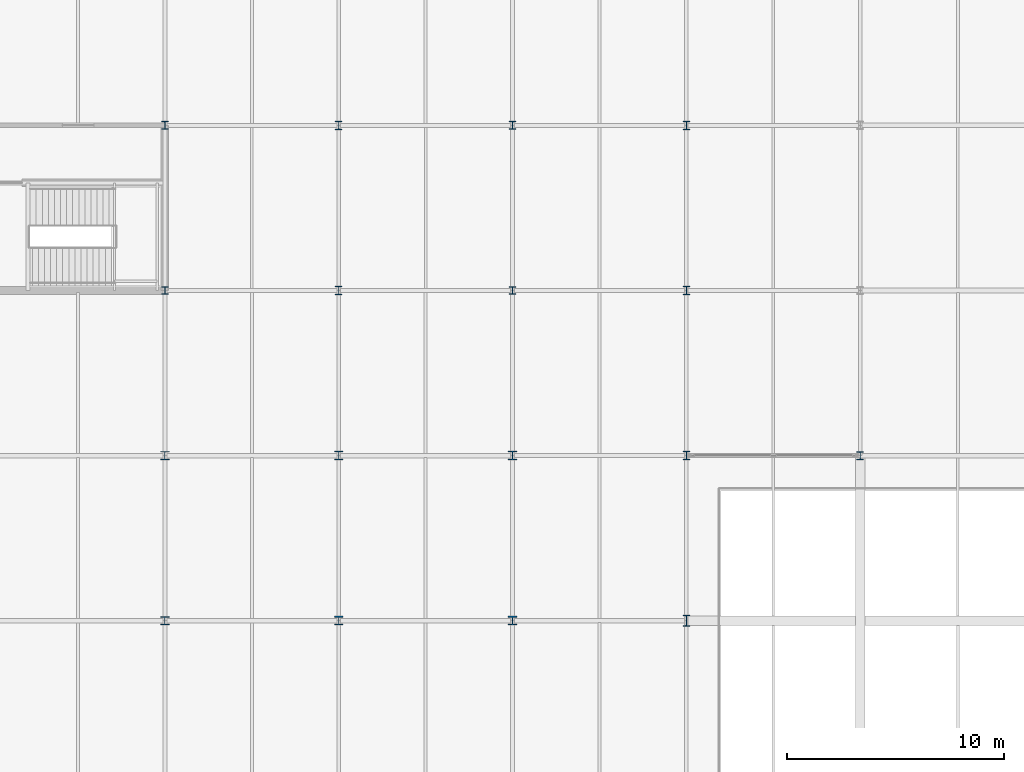
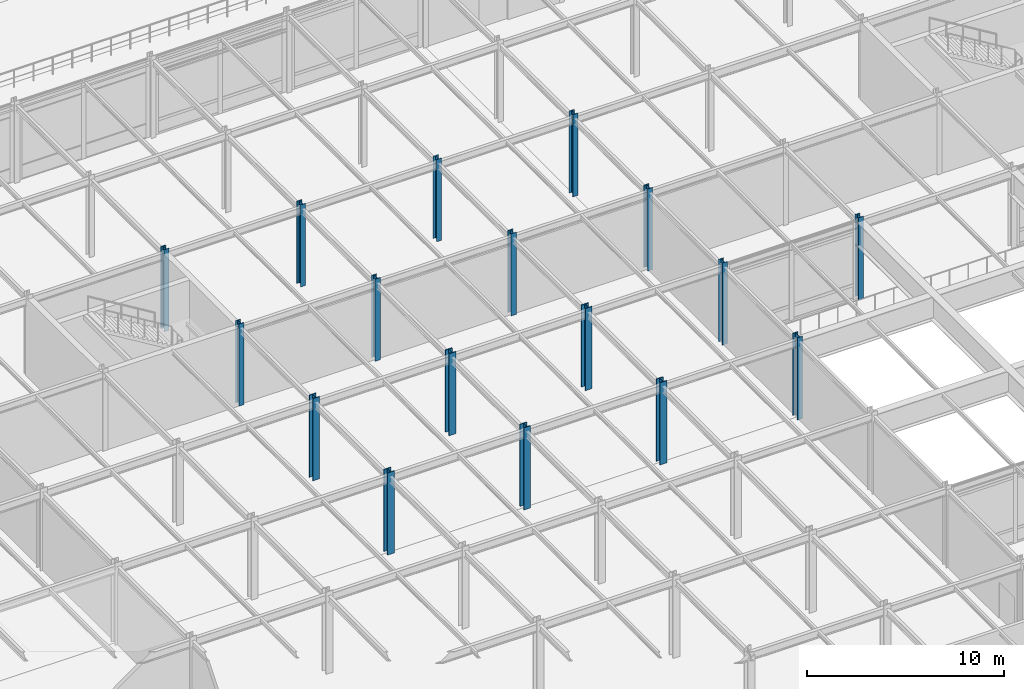
# One storey, part 7 of 79: 17 columns.
"""IFC4 building model written with IfcOpenShell, lengths in metres."""

import ifcopenshell
import ifcopenshell.guid

model = None  # the IFC model being written
_history = None  # IfcOwnerHistory: only IFC2X3 demands one
_inside = {}  # id of a spatial element -> (the spatial element, [elements in it])
_under = {}  # id of a project, library or spatial element -> (it, [spatial elements below it])
_declared = {}  # id of a project -> (the project, [libraries it declares])
_typed = {}  # id of a type object -> (the type object, [elements of that type])
_made_of = {}  # id of a material, layer set ... -> (it, [elements and type objects made of it])


def new_model(schema):
    """Start an empty IFC model of exactly this schema.

    Asked for "IFC4X3", IfcOpenShell would pick the latest addendum, in which some entities
    have other attributes; the version numbers below select the first issue.
    IFC2X3 requires an IfcOwnerHistory on every rooted entity: one is made here for all.
    """
    global model, _history
    if schema == "IFC4X3":
        model = ifcopenshell.file(schema_version=(4, 3, 0, 0))
    else:
        model = ifcopenshell.file(schema=schema)
    _inside.clear()
    _under.clear()
    _declared.clear()
    _typed.clear()
    _made_of.clear()
    _history = None
    if model.schema == "IFC2X3":
        org = make("IfcOrganization", Name="unknown")
        user = make(
            "IfcPersonAndOrganization",
            ThePerson=make("IfcPerson", FamilyName="unknown"),
            TheOrganization=org,
        )
        app = make(
            "IfcApplication",
            ApplicationDeveloper=org,
            Version="unknown",
            ApplicationFullName="unknown",
            ApplicationIdentifier="unknown",
        )
        _history = make(
            "IfcOwnerHistory",
            OwningUser=user,
            OwningApplication=app,
            ChangeAction="ADDED",
            CreationDate=0,
        )
    return model


def make(cls, **values):
    """One entity of the class cls with the attributes given. An attribute that is None is left unset."""
    return model.create_entity(
        cls, **{name: value for name, value in values.items() if value is not None}
    )


def rooted(cls, **values):
    """An entity with a GlobalId (a new one), such as an element, a storey or a relation."""
    return make(cls, GlobalId=ifcopenshell.guid.new(), OwnerHistory=_history, **values)


def si_unit(unit_type, name, prefix=None):
    """IfcSIUnit, for example si_unit("LENGTHUNIT", "METRE", prefix="MILLI")."""
    return make("IfcSIUnit", UnitType=unit_type, Prefix=prefix, Name=name)


def assignment(units):
    """IfcUnitAssignment: the units of a project."""
    return None if units is None else make("IfcUnitAssignment", Units=units)


def point(xyz):
    """IfcCartesianPoint."""
    return None if xyz is None else make("IfcCartesianPoint", Coordinates=xyz)


def direction(xyz):
    """IfcDirection."""
    return None if xyz is None else make("IfcDirection", DirectionRatios=xyz)


def frame(location, z_axis=None, x_axis=None):
    """IfcAxis2Placement3D, a coordinate frame: its origin and axes. An axis left out is left unset."""
    return make(
        "IfcAxis2Placement3D",
        Location=point(location),
        Axis=direction(z_axis),
        RefDirection=direction(x_axis),
    )


def frame_2d(location, x_axis=None):
    """IfcAxis2Placement2D, a coordinate frame in the plane: its origin and x axis."""
    return make(
        "IfcAxis2Placement2D", Location=point(location), RefDirection=direction(x_axis)
    )


def origin():
    """The frame at (0, 0, 0) with its axes left unset."""
    return frame((0.0, 0.0, 0.0))


def origin_2d():
    """The frame at (0, 0) in the plane with its x axis left unset."""
    return frame_2d((0.0, 0.0))


def place(relative_to, where):
    """IfcLocalPlacement: puts the frame where relative to a parent placement (None: the world)."""
    return make(
        "IfcLocalPlacement", PlacementRelTo=relative_to, RelativePlacement=where
    )


def context(
    kind, dimensions, precision=None, world=None, true_north=None, identifier=None
):
    """IfcGeometricRepresentationContext, for example the 3D "Model" context."""
    return make(
        "IfcGeometricRepresentationContext",
        ContextIdentifier=identifier,
        ContextType=kind,
        CoordinateSpaceDimension=dimensions,
        Precision=precision,
        WorldCoordinateSystem=world,
        TrueNorth=true_north,
    )


def subcontext(parent, identifier, kind, view, scale=None):
    """IfcGeometricRepresentationSubContext, for example "Body" below "Model"."""
    return make(
        "IfcGeometricRepresentationSubContext",
        ContextIdentifier=identifier,
        ContextType=kind,
        ParentContext=parent,
        TargetScale=scale,
        TargetView=view,
    )


def project(units=None, contexts=None):
    """IfcProject with its units and contexts."""
    return rooted(
        "IfcProject",
        Name="project",
        RepresentationContexts=contexts,
        UnitsInContext=assignment(units),
    )


def spatial(cls, under=None, at=None, **own):
    """A site, building, storey or space (cls), placed at a placement, below another one or the project."""
    s = rooted(cls, ObjectPlacement=at, **own)
    if under is not None:
        _under.setdefault(under.id(), (under, []))[1].append(s)
    return s


def profile(cls, at=None, kind="AREA", **sizes):
    """A parametric profile (cls). Its sizes go by their IFC names, for example OverallWidth=200.0."""
    return make(cls, ProfileType=kind, Position=at, **sizes)


def i_section(**sizes):
    """IfcIShapeProfileDef."""
    return profile("IfcIShapeProfileDef", **sizes)


def extrude(swept, where, along, depth):
    """IfcExtrudedAreaSolid: the profile swept, set in the frame where, extruded along a direction by depth."""
    return make(
        "IfcExtrudedAreaSolid",
        SweptArea=swept,
        Position=where,
        ExtrudedDirection=direction(along),
        Depth=depth,
    )


def shape(context_of_items, identifier, shape_type, items):
    """IfcShapeRepresentation: the items that make up one representation, for example the "Body"."""
    return make(
        "IfcShapeRepresentation",
        ContextOfItems=context_of_items,
        RepresentationIdentifier=identifier,
        RepresentationType=shape_type,
        Items=items,
    )


def material(Name=None, Category=None):
    """IfcMaterial."""
    return make("IfcMaterial", Name=Name, Category=Category)


def material_profile(
    of_material, cross_section, Name=None, Category=None, Priority=None
):
    """IfcMaterialProfile: a cross section and its material."""
    return make(
        "IfcMaterialProfile",
        Name=Name,
        Material=of_material,
        Profile=cross_section,
        Priority=Priority,
        Category=Category,
    )


def profile_set(profiles, Name=None, composite=None):
    """IfcMaterialProfileSet."""
    return make(
        "IfcMaterialProfileSet",
        Name=Name,
        MaterialProfiles=profiles,
        CompositeProfile=composite,
    )


def made_of(thing, what):
    """Note that an element or type object is made of a material, layer set ...; save() writes the relation."""
    if what is not None:
        _made_of.setdefault(what.id(), (what, []))[1].append(thing)
    return thing


def type_object(cls, material=None, **own):
    """A type object (cls), such as IfcWallType, which elements share."""
    return made_of(rooted(cls, **own), material)


def element(
    cls,
    number,
    at=None,
    inside=None,
    cuts=None,
    type_object=None,
    material=None,
    context=None,
    identifier="Body",
    shape_type=None,
    held_by="IfcProductDefinitionShape",
    body=None,
    shapes=None,
    **own,
):
    """One element of the class cls, such as IfcWall. Its Tag is "e" and its number.

    at: its placement. inside: the storey or other place that contains it. cuts: it is an
    opening in that element (IfcRelVoidsElement). A single representation is given by context,
    identifier, shape_type and body (its items); several are given by shapes. held_by: the class
    of the entity that holds the representations. save() writes the other relations.
    """
    e = rooted(cls, Tag="e%d" % number, ObjectPlacement=at, **own)
    if body is not None:
        shapes = [shape(context, identifier, shape_type, body)]
    if shapes is not None:
        e.Representation = make(held_by, Representations=shapes)
    if inside is not None:
        _inside.setdefault(inside.id(), (inside, []))[1].append(e)
    if cuts is not None:
        rooted(
            "IfcRelVoidsElement", RelatingBuildingElement=cuts, RelatedOpeningElement=e
        )
    if type_object is not None:
        _typed.setdefault(type_object.id(), (type_object, []))[1].append(e)
    return made_of(e, material)


def aggregate(whole, parts):
    """IfcRelAggregates: a whole, such as a stair, and the parts it consists of."""
    return rooted("IfcRelAggregates", RelatingObject=whole, RelatedObjects=parts)


def save(model, path):
    """Write the relations noted so far, then the file.

    IfcRelAggregates (storeys below a building ...), IfcRelContainedInSpatialStructure (elements
    in a storey), IfcRelDefinesByType, IfcRelAssociatesMaterial and IfcRelDeclares: one each for
    every whole, place, type object, material and project.
    """
    for whole, parts in _under.values():
        aggregate(whole, parts)
    for where, things in _inside.values():
        rooted(
            "IfcRelContainedInSpatialStructure",
            RelatedElements=things,
            RelatingStructure=where,
        )
    for kind, things in _typed.values():
        rooted("IfcRelDefinesByType", RelatedObjects=things, RelatingType=kind)
    for what, things in _made_of.values():
        rooted("IfcRelAssociatesMaterial", RelatedObjects=things, RelatingMaterial=what)
    for by, libraries in _declared.values():
        rooted("IfcRelDeclares", RelatingContext=by, RelatedDefinitions=libraries)
    model.write(path)


model = new_model("IFC4")

# Units and contexts
model_context = context("Model", 3, precision=1e-05, world=origin(), true_north=direction((0.0, 1.0)))
body_context = subcontext(model_context, "Body", "Model", "MODEL_VIEW")
ifc_project = project(units=[si_unit("LENGTHUNIT", "METRE"), si_unit("AREAUNIT", "SQUARE_METRE"), si_unit("VOLUMEUNIT", "CUBIC_METRE"), si_unit("PLANEANGLEUNIT", "RADIAN"), si_unit("MASSUNIT", "GRAM", prefix="KILO")], contexts=[model_context])

# Site, building, storey
site_placement = place(None, origin())
site = spatial("IfcSite", under=ifc_project, at=site_placement, CompositionType="ELEMENT")
building_placement = place(site_placement, origin())
building = spatial("IfcBuilding", under=site, at=building_placement, Name="Shalkamar Park Central Library", CompositionType="ELEMENT")
storey_placement = place(building_placement, frame((0.0, 0.0, 10.5)))
storey = spatial("IfcBuildingStorey", under=building, at=storey_placement, Name="L03", CompositionType="ELEMENT", Elevation=10.5)

# Columns
ifc_material = material(Name="Steel S355", Category="steel")
ifc_material_profile_1 = material_profile(ifc_material, i_section(OverallWidth=0.40087890625, OverallDepth=0.39892578125, WebThickness=0.02490234375, FlangeThickness=0.03955078125, FilletRadius=0.014892578125, at=origin_2d()), Name="HD 400x314")
ifc_profile_set_1 = profile_set([ifc_material_profile_1], Name="Steel S355")
column_type_1 = type_object("IfcColumnType", Name="Column Steel HD400x314", PredefinedType="COLUMN", material=ifc_profile_set_1)
for number, where, z_axis, x_axis, name in (
    (1, (205.0, 285.60009765625, 0.0), (0.0, 0.0, 1.0), (1.0, 0.0, 0.0), "Column 12/G (L03)"),
    (2, (205.0, 293.199951171875, 0.0), (0.0, 0.0, 1.0), (1.0, 0.0, 0.0), "Column 12/H (L03)"),
):
    element("IfcColumn", number, at=place(storey_placement, frame(where, z_axis=z_axis, x_axis=x_axis)), inside=storey, type_object=column_type_1, Name=name, PredefinedType="COLUMN", context=body_context, shape_type="SweptSolid", body=[
        extrude(i_section(OverallWidth=0.40087890625, OverallDepth=0.39892578125, WebThickness=0.02490234375, FlangeThickness=0.03955078125, FilletRadius=0.014892578125, at=origin_2d()), origin(), (0.0, 0.0, 1.0), 5.10009765625),
    ])
ifc_material_profile_2 = material_profile(ifc_material, i_section(OverallWidth=0.406005859375, OverallDepth=0.416015625, WebThickness=0.02978515625, FlangeThickness=0.048095703125, FilletRadius=0.014892578125, at=origin_2d()), Name="HD 400x382")
ifc_profile_set_2 = profile_set([ifc_material_profile_2], Name="Steel S355")
column_type_2 = type_object("IfcColumnType", Name="Column Steel HD400x382", PredefinedType="COLUMN", material=ifc_profile_set_2)
for number, where, z_axis, x_axis, name in (
    (3, (213.0, 285.60009765625, 0.0), (0.0, 0.0, 1.0), (1.0, 0.0, 0.0), "Column 13/G (L03)"),
    (4, (213.0, 293.199951171875, 0.0), (0.0, 0.0, 1.0), (1.0, 0.0, 0.0), "Column 13/H (L03)"),
    (5, (221.0, 285.60009765625, 0.0), (0.0, 0.0, 1.0), (1.0, 0.0, 0.0), "Column 14/G (L03)"),
    (6, (221.0, 293.199951171875, 0.0), (0.0, 0.0, 1.0), (1.0, 0.0, 0.0), "Column 14/H (L03)"),
):
    element("IfcColumn", number, at=place(storey_placement, frame(where, z_axis=z_axis, x_axis=x_axis)), inside=storey, type_object=column_type_2, Name=name, PredefinedType="COLUMN", context=body_context, shape_type="SweptSolid", body=[
        extrude(i_section(OverallWidth=0.406005859375, OverallDepth=0.416015625, WebThickness=0.02978515625, FlangeThickness=0.048095703125, FilletRadius=0.014892578125, at=origin_2d()), origin(), (0.0, 0.0, 1.0), 5.10009765625),
    ])
ifc_material_profile_3 = material_profile(ifc_material, i_section(OverallWidth=0.300048828125, OverallDepth=0.360107421875, WebThickness=0.012451171875, FlangeThickness=0.0224609375, FilletRadius=0.027099609375, at=origin_2d()), Name="HEB 360")
ifc_profile_set_3 = profile_set([ifc_material_profile_3], Name="Steel S355")
column_type_3 = type_object("IfcColumnType", Name="Column Steel HEB360", PredefinedType="COLUMN", material=ifc_profile_set_3)
for number, where, z_axis, x_axis, name in (
    (7, (205.0, 300.800048828125, 0.0), (0.0, 0.0, 1.0), (1.0, 0.0, 0.0), "Column 12/J (L03)"),
    (8, (205.0, 308.39990234375, 0.0), (0.0, 0.0, 1.0), (1.0, 0.0, 0.0), "Column 12/K (L03)"),
    (9, (221.0, 300.800048828125, 0.0), (0.0, 0.0, 1.0), (1.0, 0.0, 0.0), "Column 14/J (L03)"),
    (10, (221.0, 308.39990234375, 0.0), (0.0, 0.0, 1.0), (1.0, 0.0, 0.0), "Column 14/K (L03)"),
    (11, (237.0, 293.199951171875, 0.0), (0.0, 0.0, 1.0), (1.0, 0.0, 0.0), "Column 16/H (L03)"),
):
    element("IfcColumn", number, at=place(storey_placement, frame(where, z_axis=z_axis, x_axis=x_axis)), inside=storey, type_object=column_type_3, Name=name, PredefinedType="COLUMN", context=body_context, shape_type="SweptSolid", body=[
        extrude(i_section(OverallWidth=0.300048828125, OverallDepth=0.360107421875, WebThickness=0.012451171875, FlangeThickness=0.0224609375, FilletRadius=0.027099609375, at=origin_2d()), origin(), (0.0, 0.0, 1.0), 5.10009765625),
    ])
ifc_material_profile_4 = material_profile(ifc_material, i_section(OverallWidth=0.300048828125, OverallDepth=0.39990234375, WebThickness=0.013427734375, FlangeThickness=0.02392578125, FilletRadius=0.027099609375, at=origin_2d()), Name="HEB 400")
ifc_profile_set_4 = profile_set([ifc_material_profile_4], Name="Steel S355")
column_type_4 = type_object("IfcColumnType", Name="Column Steel HEB400", PredefinedType="COLUMN", material=ifc_profile_set_4)
for number, where, z_axis, x_axis, name in (
    (12, (213.0, 300.800048828125, 0.0), (0.0, 0.0, 1.0), (1.0, 0.0, 0.0), "Column 13/J (L03)"),
    (13, (213.0, 308.39990234375, 0.0), (0.0, 0.0, 1.0), (1.0, 0.0, 0.0), "Column 13/K (L03)"),
    (14, (229.0, 293.199951171875, 0.0), (0.0, 0.0, 1.0), (1.0, 0.0, 0.0), "Column 15/H (L03)"),
    (15, (229.0, 300.800048828125, 0.0), (0.0, 0.0, 1.0), (1.0, 0.0, 0.0), "Column 15/J (L03)"),
    (16, (229.0, 308.39990234375, 0.0), (0.0, 0.0, 1.0), (1.0, 0.0, 0.0), "Column 15/K (L03)"),
):
    element("IfcColumn", number, at=place(storey_placement, frame(where, z_axis=z_axis, x_axis=x_axis)), inside=storey, type_object=column_type_4, Name=name, PredefinedType="COLUMN", context=body_context, shape_type="SweptSolid", body=[
        extrude(i_section(OverallWidth=0.300048828125, OverallDepth=0.39990234375, WebThickness=0.013427734375, FlangeThickness=0.02392578125, FilletRadius=0.027099609375, at=origin_2d()), origin(), (0.0, 0.0, 1.0), 5.10009765625),
    ])
ifc_material_profile_5 = material_profile(ifc_material, i_section(OverallWidth=0.300048828125, OverallDepth=0.5, WebThickness=0.014404296875, FlangeThickness=0.028076171875, FilletRadius=0.027099609375, at=origin_2d()), Name="HEB 500")
ifc_profile_set_5 = profile_set([ifc_material_profile_5], Name="Steel S355")
column_type_5 = type_object("IfcColumnType", Name="Column Steel HEB500", PredefinedType="COLUMN", material=ifc_profile_set_5)
column_placement = place(storey_placement, frame((229.0, 285.60009765625, 0.0), z_axis=(0.0, 0.0, 1.0), x_axis=(1.0, 0.0, 0.0)))
element("IfcColumn", 17, at=column_placement, inside=storey, type_object=column_type_5, Name="Column 15/G (L03)", PredefinedType="COLUMN", context=body_context, shape_type="SweptSolid", body=[
    extrude(i_section(OverallWidth=0.300048828125, OverallDepth=0.5, WebThickness=0.014404296875, FlangeThickness=0.028076171875, FilletRadius=0.027099609375, at=origin_2d()), origin(), (0.0, 0.0, 1.0), 5.10009765625),
])

save(model, "model.ifc")
